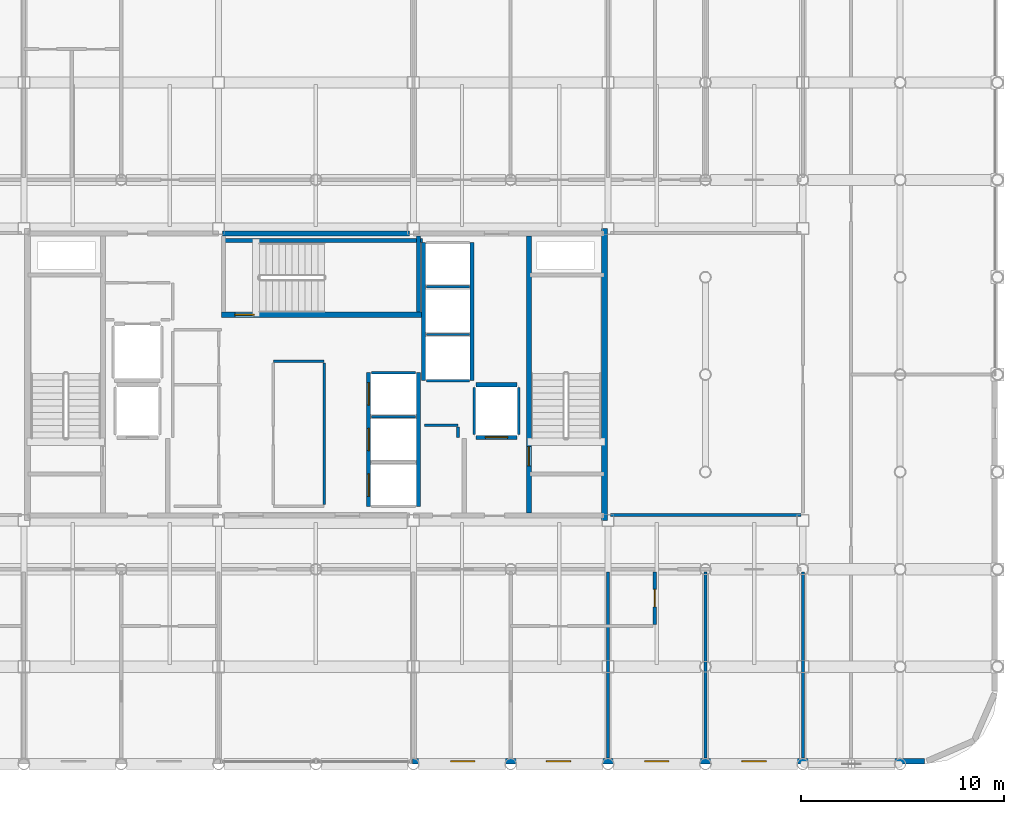
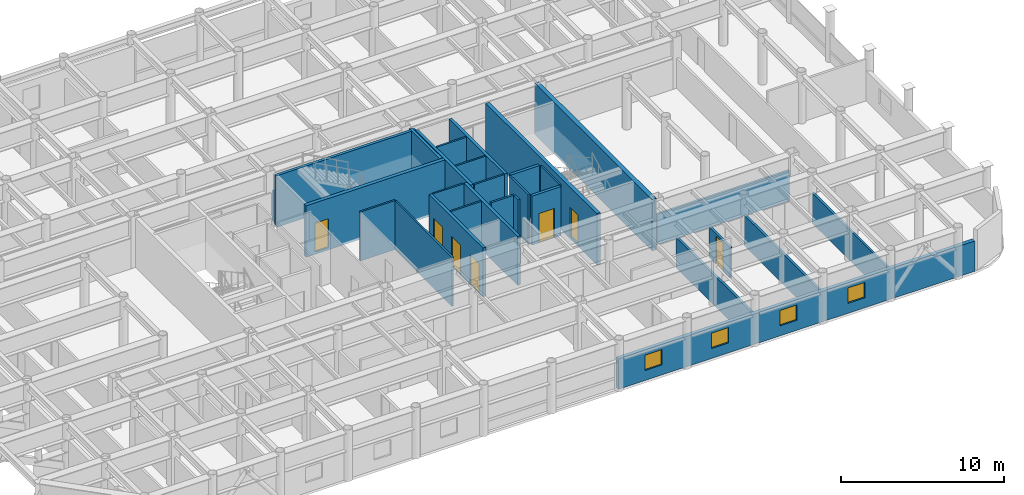
# One storey, part 24 of 27: 29 walls, 7 doors, 4 windows, 11 openings.
"""IFC4 building model written with IfcOpenShell, lengths in metres."""

from ifc_helpers import new_model, si_unit, direction, frame, frame_2d, origin, place, context, subcontext, project, spatial, rectangle, extrude, material, layer, layer_set, type_object, element, fill, save


model = new_model("IFC4")

# Units and contexts
model_context = context("Model", 3, precision=1e-05, world=origin(), true_north=direction((0.0, 1.0)))
body_context = subcontext(model_context, "Body", "Model", "MODEL_VIEW")
ifc_project = project(units=[si_unit("LENGTHUNIT", "METRE"), si_unit("AREAUNIT", "SQUARE_METRE"), si_unit("VOLUMEUNIT", "CUBIC_METRE"), si_unit("PLANEANGLEUNIT", "RADIAN"), si_unit("MASSUNIT", "GRAM", prefix="KILO")], contexts=[model_context])

# Site, building, storey
site_placement = place(None, origin())
site = spatial("IfcSite", under=ifc_project, at=site_placement, CompositionType="ELEMENT")
building_placement = place(site_placement, origin())
building = spatial("IfcBuilding", under=site, at=building_placement, Name="Kallvorn Hotel Tower", CompositionType="ELEMENT")
storey_placement = place(building_placement, frame((0.0, 0.0, 245.39990234375)))
storey = spatial("IfcBuildingStorey", under=building, at=storey_placement, Name="L61", CompositionType="ELEMENT", Elevation=245.39990234375)

# Walls
ifc_material_1 = material(Name="Concrete C50/60", Category="concrete")
ifc_layer_1 = layer(ifc_material_1, 0.300048828125)
ifc_layer_set_1 = layer_set([ifc_layer_1], Name="WL_CORE_300")
wall_type_1 = type_object("IfcWallType", Name="WL_CORE_300", PredefinedType="SHEAR", material=ifc_layer_set_1)
wall_1_placement = place(storey_placement, frame((14.215087890625, -7.199951171875, -0.179931640625), z_axis=(0.0, 0.0, 1.0), x_axis=(0.0, 1.0, 0.0)))
element("IfcWall", 1, at=wall_1_placement, inside=storey, type_object=wall_type_1, Name="L61 Core East Shear Wall", PredefinedType="SHEAR", context=body_context, shape_type="SweptSolid", body=[
    extrude(rectangle(XDim=14.39990234375, YDim=0.300048828125, at=frame_2d((7.199951171875, 0.0))), origin(), (0.0, 0.0, 1.0), 3.85009765625),
])
ifc_material_2 = material(Name="Fire-rated double-layer acoustic gypsum drywall EI 60")
ifc_layer_2 = layer(ifc_material_2, 0.159912109375)
ifc_layer_set_2 = layer_set([ifc_layer_2], Name="WL_DEMISE_160")
wall_type_2 = type_object("IfcWallType", Name="WL_DEMISE_160", PredefinedType="PARTITIONING", material=ifc_layer_set_2)
wall_2_placement = place(storey_placement, frame((14.39990234375, -18.909912109375, 0.0), z_axis=(0.0, 0.0, 1.0), x_axis=(0.0, 1.0, 0.0)))
element("IfcWall", 2, at=wall_2_placement, inside=storey, type_object=wall_type_2, Name="L61 Suite 6103 Executive Bedroom Partition", PredefinedType="PARTITIONING", context=body_context, shape_type="SweptSolid", body=[
    extrude(rectangle(XDim=9.18994140625, YDim=0.159912109375, at=frame_2d((4.594970703125, 0.0))), origin(), (0.0, 0.0, 1.0), 2.27001953125),
])

# Wall, opening, door
wall_3_placement = place(storey_placement, frame((16.705078125, -12.31005859375, 0.0), z_axis=(0.0, 0.0, 1.0), x_axis=(0.0, 1.0, 0.0)))
wall_3 = element("IfcWall", 3, at=wall_3_placement, inside=storey, type_object=wall_type_2, Name="L61 Suite 6104 Deluxe King Room Partition", PredefinedType="PARTITIONING", context=body_context, shape_type="SweptSolid", body=[
    extrude(rectangle(XDim=2.590087890625, YDim=0.159912109375, at=frame_2d((1.294921875, 0.0))), origin(), (0.0, 0.0, 1.0), 2.27001953125),
])
opening_1_placement = place(wall_3_placement, frame((0.860107421875, 0.0, 0.0)))
opening_1 = element("IfcOpeningElement", 4, at=opening_1_placement, cuts=wall_3, Name="Opening BD-I", PredefinedType="OPENING", context=body_context, shape_type="SweptSolid", body=[
    extrude(rectangle(XDim=0.860107421875, YDim=2.10009765625, at=frame_2d((0.43017578125, 1.050048828125))), frame((0.0, 0.094970703125, 0.0), z_axis=(0.0, -1.0, 0.0), x_axis=(1.0, 0.0, 0.0)), (0.0, 0.0, 1.0), 0.18994140625),
])
ifc_material_3 = material(Name="Solid-core walnut veneer fire-rated timber door leaf", Category="wood")
door_type_1 = type_object("IfcDoorType", Name="DR_BATH_860x2100", OperationType="NOTDEFINED", PredefinedType="DOOR", material=ifc_material_3)
door_1_placement = place(opening_1_placement, origin())
door_1 = element("IfcDoor", 5, at=door_1_placement, inside=storey, type_object=door_type_1, Name="L61 Suite 6104 En-Suite Bathroom Door", OperationType="SINGLE_SWING_RIGHT", OverallHeight=2.10009765625, OverallWidth=0.860107421875, PredefinedType="DOOR", context=body_context, shape_type="SweptSolid", body=[
    extrude(rectangle(XDim=0.860107421875, YDim=2.10009765625, at=frame_2d((0.43017578125, 1.050048828125))), frame((0.0, 0.02490234375, 0.0), z_axis=(0.0, -1.0, 0.0), x_axis=(1.0, 0.0, 0.0)), (0.0, 0.0, 1.0), 0.050048828125),
])
fill(opening_1, door_1)

# Wall
wall_4_placement = place(storey_placement, frame((19.199951171875, -18.909912109375, 0.0), z_axis=(0.0, 0.0, 1.0), x_axis=(0.0, 1.0, 0.0)))
element("IfcWall", 6, at=wall_4_placement, inside=storey, type_object=wall_type_2, Name="L61 Suite 6104 Deluxe King Room Partition", PredefinedType="PARTITIONING", context=body_context, shape_type="SweptSolid", body=[
    extrude(rectangle(XDim=9.18994140625, YDim=0.159912109375, at=frame_2d((4.594970703125, 0.0))), origin(), (0.0, 0.0, 1.0), 2.27001953125),
])

# Wall, openings, windows
ifc_material_4 = material(Name="Precast basalt-clad insulated concrete wall C40/50", Category="masonry")
ifc_layer_3 = layer(ifc_material_4, 0.280029296875)
ifc_layer_set_3 = layer_set([ifc_layer_3], Name="WL_EXT_LOGGIA_280")
wall_type_3 = type_object("IfcWallType", Name="WL_EXT_LOGGIA_280", PredefinedType="SOLIDWALL", material=ifc_layer_set_3)
wall_5_placement = place(storey_placement, frame((4.75, -19.06005859375, 0.0), z_axis=(0.0, 0.0, 1.0), x_axis=(1.0, 0.0, 0.0)))
wall_5 = element("IfcWall", 7, at=wall_5_placement, inside=storey, type_object=wall_type_3, Name="L61 Exterior Envelope Wall EW-L61-SE", PredefinedType="SOLIDWALL", context=body_context, shape_type="SweptSolid", body=[
    extrude(rectangle(XDim=25.25, YDim=0.280029296875, at=frame_2d((12.625, 0.0))), origin(), (0.0, 0.0, 1.0), 2.27001953125),
])
opening_2_placement = place(wall_5_placement, frame((16.25, 0.0, 0.75)))
opening_2 = element("IfcOpeningElement", 8, at=opening_2_placement, cuts=wall_5, Name="Opening W06A", PredefinedType="OPENING", context=body_context, shape_type="SweptSolid", body=[
    extrude(rectangle(XDim=1.199951171875, YDim=1.14990234375, at=frame_2d((0.60009765625, 0.574951171875))), frame((0.0, 0.155029296875, 0.0), z_axis=(0.0, -1.0, 0.0), x_axis=(1.0, 0.0, 0.0)), (0.0, 0.0, 1.0), 0.31005859375),
])
opening_3_placement = place(wall_5_placement, frame((1.889892578125, 0.0, 0.75)))
opening_3 = element("IfcOpeningElement", 9, at=opening_3_placement, cuts=wall_5, Name="Opening W06A", PredefinedType="OPENING", context=body_context, shape_type="SweptSolid", body=[
    extrude(rectangle(XDim=1.199951171875, YDim=1.14990234375, at=frame_2d((0.60009765625, 0.574951171875))), frame((0.0, 0.155029296875, 0.0), z_axis=(0.0, -1.0, 0.0), x_axis=(1.0, 0.0, 0.0)), (0.0, 0.0, 1.0), 0.31005859375),
])
opening_4_placement = place(wall_5_placement, frame((6.610107421875, 0.0, 0.75)))
opening_4 = element("IfcOpeningElement", 10, at=opening_4_placement, cuts=wall_5, Name="Opening W06A", PredefinedType="OPENING", context=body_context, shape_type="SweptSolid", body=[
    extrude(rectangle(XDim=1.199951171875, YDim=1.14990234375, at=frame_2d((0.60009765625, 0.574951171875))), frame((0.0, 0.155029296875, 0.0), z_axis=(0.0, -1.0, 0.0), x_axis=(1.0, 0.0, 0.0)), (0.0, 0.0, 1.0), 0.31005859375),
])
opening_5_placement = place(wall_5_placement, frame((11.449951171875, 0.0, 0.75)))
opening_5 = element("IfcOpeningElement", 11, at=opening_5_placement, cuts=wall_5, Name="Opening W06A", PredefinedType="OPENING", context=body_context, shape_type="SweptSolid", body=[
    extrude(rectangle(XDim=1.199951171875, YDim=1.14990234375, at=frame_2d((0.60009765625, 0.574951171875))), frame((0.0, 0.155029296875, 0.0), z_axis=(0.0, -1.0, 0.0), x_axis=(1.0, 0.0, 0.0)), (0.0, 0.0, 1.0), 0.31005859375),
])
ifc_material_5 = material(Name="Triple-glazed low-e acoustic solar-control dark glass", Category="glass")
window_type = type_object("IfcWindowType", Name="WN_HTL_1200x1150", PartitioningType="SINGLE_PANEL", PredefinedType="WINDOW", material=ifc_material_5)
window_1_placement = place(opening_2_placement, origin())
window_1 = element("IfcWindow", 12, at=window_1_placement, inside=storey, type_object=window_type, Name="L61 Guestroom Exterior Window 01", OverallHeight=1.14990234375, OverallWidth=1.199951171875, PartitioningType="SINGLE_PANEL", PredefinedType="WINDOW", context=body_context, shape_type="SweptSolid", body=[
    extrude(rectangle(XDim=1.199951171875, YDim=1.14990234375, at=frame_2d((0.60009765625, 0.574951171875))), frame((0.0, 0.030029296875, 0.0), z_axis=(0.0, -1.0, 0.0), x_axis=(1.0, 0.0, 0.0)), (0.0, 0.0, 1.0), 0.06005859375),
])
fill(opening_2, window_1)
window_2_placement = place(opening_3_placement, origin())
window_2 = element("IfcWindow", 13, at=window_2_placement, inside=storey, type_object=window_type, Name="L61 Guestroom Exterior Window 07", OverallHeight=1.14990234375, OverallWidth=1.199951171875, PartitioningType="SINGLE_PANEL", PredefinedType="WINDOW", context=body_context, shape_type="SweptSolid", body=[
    extrude(rectangle(XDim=1.199951171875, YDim=1.14990234375, at=frame_2d((0.60009765625, 0.574951171875))), frame((0.0, 0.030029296875, 0.0), z_axis=(0.0, -1.0, 0.0), x_axis=(1.0, 0.0, 0.0)), (0.0, 0.0, 1.0), 0.06005859375),
])
fill(opening_3, window_2)
window_3_placement = place(opening_4_placement, origin())
window_3 = element("IfcWindow", 14, at=window_3_placement, inside=storey, type_object=window_type, Name="L61 Guestroom Exterior Window 08", OverallHeight=1.14990234375, OverallWidth=1.199951171875, PartitioningType="SINGLE_PANEL", PredefinedType="WINDOW", context=body_context, shape_type="SweptSolid", body=[
    extrude(rectangle(XDim=1.199951171875, YDim=1.14990234375, at=frame_2d((0.60009765625, 0.574951171875))), frame((0.0, 0.030029296875, 0.0), z_axis=(0.0, -1.0, 0.0), x_axis=(1.0, 0.0, 0.0)), (0.0, 0.0, 1.0), 0.06005859375),
])
fill(opening_4, window_3)
window_4_placement = place(opening_5_placement, origin())
window_4 = element("IfcWindow", 15, at=window_4_placement, inside=storey, type_object=window_type, Name="L61 Guestroom Exterior Window 09", OverallHeight=1.14990234375, OverallWidth=1.199951171875, PartitioningType="SINGLE_PANEL", PredefinedType="WINDOW", context=body_context, shape_type="SweptSolid", body=[
    extrude(rectangle(XDim=1.199951171875, YDim=1.14990234375, at=frame_2d((0.60009765625, 0.574951171875))), frame((0.0, 0.030029296875, 0.0), z_axis=(0.0, -1.0, 0.0), x_axis=(1.0, 0.0, 0.0)), (0.0, 0.0, 1.0), 0.06005859375),
])
fill(opening_5, window_4)

# Walls
ifc_material_6 = material(Name="Concrete C40/50", Category="concrete")
ifc_layer_4 = layer(ifc_material_6, 0.199951171875)
ifc_layer_set_4 = layer_set([ifc_layer_4], Name="WL_HOIST_200")
wall_type_4 = type_object("IfcWallType", Name="WL_HOIST_200", PredefinedType="SOLIDWALL", material=ifc_layer_set_4)
wall_6_placement = place(storey_placement, frame((-4.64990234375, 6.610107421875, -0.179931640625), z_axis=(0.0, 0.0, 1.0), x_axis=(1.0, 0.0, 0.0)))
element("IfcWall", 16, at=wall_6_placement, inside=storey, type_object=wall_type_4, Name="L61 Stair ST3 Shaft North Wall", PredefinedType="SOLIDWALL", context=body_context, shape_type="SweptSolid", body=[
    extrude(rectangle(XDim=9.89990234375, YDim=0.199951171875, at=frame_2d((4.949951171875, 0.0))), origin(), (0.0, 0.0, 1.0), 3.85009765625),
])
wall_7_placement = place(storey_placement, frame((5.06005859375, 3.080078125, -0.179931640625), z_axis=(0.0, 0.0, 1.0), x_axis=(0.0, 1.0, 0.0)))
element("IfcWall", 17, at=wall_7_placement, inside=storey, type_object=wall_type_4, Name="L61 Stair ST3 East Wall", PredefinedType="SOLIDWALL", context=body_context, shape_type="SweptSolid", body=[
    extrude(rectangle(XDim=3.739990234375, YDim=0.199951171875, at=frame_2d((1.8701171875, 0.0))), origin(), (0.0, 0.0, 1.0), 3.85009765625),
])

# Wall, openings, doors
wall_8_placement = place(storey_placement, frame((2.60009765625, -6.5, 0.0), z_axis=(0.0, 0.0, 1.0), x_axis=(0.0, 1.0, 0.0)))
wall_8 = element("IfcWall", 18, at=wall_8_placement, inside=storey, type_object=wall_type_4, Name="L61 Lift Bank B3A Landing Wall", PredefinedType="SOLIDWALL", context=body_context, shape_type="SweptSolid", body=[
    extrude(rectangle(XDim=6.60009765625, YDim=0.199951171875, at=frame_2d((3.300048828125, 0.0))), origin(), (0.0, 0.0, 1.0), 3.670166015625),
])
opening_6_placement = place(wall_8_placement, frame((0.5, 0.0, 0.0)))
opening_6 = element("IfcOpeningElement", 19, at=opening_6_placement, cuts=wall_8, Name="Opening LD-PL-09", PredefinedType="OPENING", context=body_context, shape_type="SweptSolid", body=[
    extrude(rectangle(XDim=1.10009765625, YDim=2.199951171875, at=frame_2d((0.550048828125, 1.10009765625))), frame((0.0, 0.114990234375, 0.0), z_axis=(0.0, -1.0, 0.0), x_axis=(1.0, 0.0, 0.0)), (0.0, 0.0, 1.0), 0.22998046875),
])
opening_7_placement = place(wall_8_placement, frame((2.75, 0.0, 0.0)))
opening_7 = element("IfcOpeningElement", 20, at=opening_7_placement, cuts=wall_8, Name="Opening LD-PL-10", PredefinedType="OPENING", context=body_context, shape_type="SweptSolid", body=[
    extrude(rectangle(XDim=1.10009765625, YDim=2.199951171875, at=frame_2d((0.550048828125, 1.10009765625))), frame((0.0, 0.114990234375, 0.0), z_axis=(0.0, -1.0, 0.0), x_axis=(1.0, 0.0, 0.0)), (0.0, 0.0, 1.0), 0.22998046875),
])
opening_8_placement = place(wall_8_placement, frame((5.0, 0.0, 0.0)))
opening_8 = element("IfcOpeningElement", 21, at=opening_8_placement, cuts=wall_8, Name="Opening LD-PL-11", PredefinedType="OPENING", context=body_context, shape_type="SweptSolid", body=[
    extrude(rectangle(XDim=1.10009765625, YDim=2.199951171875, at=frame_2d((0.550048828125, 1.10009765625))), frame((0.0, 0.114990234375, 0.0), z_axis=(0.0, -1.0, 0.0), x_axis=(1.0, 0.0, 0.0)), (0.0, 0.0, 1.0), 0.22998046875),
])
ifc_material_7 = material(Name="Brushed stainless-steel automatic sliding lift landing door", Category="steel")
door_type_2 = type_object("IfcDoorType", Name="LD_PASS_1100x2200", OperationType="SLIDING_TO_LEFT", PredefinedType="DOOR", material=ifc_material_7)
door_2_placement = place(opening_6_placement, origin())
door_2 = element("IfcDoor", 22, at=door_2_placement, inside=storey, type_object=door_type_2, Name="L61 Lift Landing Sliding Door LD-PL-09", OperationType="SLIDING_TO_LEFT", OverallHeight=2.199951171875, OverallWidth=1.10009765625, PredefinedType="DOOR", context=body_context, shape_type="SweptSolid", body=[
    extrude(rectangle(XDim=1.10009765625, YDim=2.199951171875, at=frame_2d((0.550048828125, 1.10009765625))), frame((0.0, 0.02490234375, 0.0), z_axis=(0.0, -1.0, 0.0), x_axis=(1.0, 0.0, 0.0)), (0.0, 0.0, 1.0), 0.050048828125),
])
fill(opening_6, door_2)
door_3_placement = place(opening_7_placement, origin())
door_3 = element("IfcDoor", 23, at=door_3_placement, inside=storey, type_object=door_type_2, Name="L61 Lift Landing Sliding Door LD-PL-10", OperationType="SLIDING_TO_LEFT", OverallHeight=2.199951171875, OverallWidth=1.10009765625, PredefinedType="DOOR", context=body_context, shape_type="SweptSolid", body=[
    extrude(rectangle(XDim=1.10009765625, YDim=2.199951171875, at=frame_2d((0.550048828125, 1.10009765625))), frame((0.0, 0.02490234375, 0.0), z_axis=(0.0, -1.0, 0.0), x_axis=(1.0, 0.0, 0.0)), (0.0, 0.0, 1.0), 0.050048828125),
])
fill(opening_7, door_3)
door_4_placement = place(opening_8_placement, origin())
door_4 = element("IfcDoor", 24, at=door_4_placement, inside=storey, type_object=door_type_2, Name="L61 Lift Landing Sliding Door LD-PL-11", OperationType="SLIDING_TO_LEFT", OverallHeight=2.199951171875, OverallWidth=1.10009765625, PredefinedType="DOOR", context=body_context, shape_type="SweptSolid", body=[
    extrude(rectangle(XDim=1.10009765625, YDim=2.199951171875, at=frame_2d((0.550048828125, 1.10009765625))), frame((0.0, 0.02490234375, 0.0), z_axis=(0.0, -1.0, 0.0), x_axis=(1.0, 0.0, 0.0)), (0.0, 0.0, 1.0), 0.050048828125),
])
fill(opening_8, door_4)

# Walls
wall_9_placement = place(storey_placement, frame((5.050048828125, -6.5, 0.0), z_axis=(0.0, 0.0, 1.0), x_axis=(0.0, 1.0, 0.0)))
element("IfcWall", 25, at=wall_9_placement, inside=storey, type_object=wall_type_4, Name="L61 Lift Bank B3A Rear Shaft Wall", PredefinedType="SOLIDWALL", context=body_context, shape_type="SweptSolid", body=[
    extrude(rectangle(XDim=6.60009765625, YDim=0.199951171875, at=frame_2d((3.300048828125, 0.0))), origin(), (0.0, 0.0, 1.0), 3.670166015625),
])
for number, where, z_axis, x_axis, name in (
    (26, (7.699951171875, -0.300048828125, 0.0), (0.0, 0.0, 1.0), (0.0, 1.0, 0.0), "L61 Lift Bank OBS Landing Wall"),
    (27, (5.300048828125, -0.300048828125, 0.0), (0.0, 0.0, 1.0), (0.0, 1.0, 0.0), "L61 Lift Bank OBS Rear Shaft Wall"),
):
    element("IfcWall", number, at=place(storey_placement, frame(where, z_axis=z_axis, x_axis=x_axis)), inside=storey, type_object=wall_type_4, Name=name, PredefinedType="SOLIDWALL", context=body_context, shape_type="SweptSolid", body=[
        extrude(rectangle(XDim=6.800048828125, YDim=0.199951171875, at=frame_2d((3.39990234375, 0.0))), origin(), (0.0, 0.0, 1.0), 3.670166015625),
    ])

# Wall, opening, door
wall_10_placement = place(storey_placement, frame((7.8798828125, -3.10009765625, 0.0), z_axis=(0.0, 0.0, 1.0), x_axis=(1.0, 0.0, 0.0)))
wall_10 = element("IfcWall", 28, at=wall_10_placement, inside=storey, type_object=wall_type_4, Name="L61 FL-2 Landing Wall", PredefinedType="SOLIDWALL", context=body_context, shape_type="SweptSolid", body=[
    extrude(rectangle(XDim=2.0400390625, YDim=0.199951171875, at=frame_2d((1.02001953125, 0.0))), origin(), (0.0, 0.0, 1.0), 3.670166015625),
])
opening_9_placement = place(wall_10_placement, frame((0.469970703125, 0.0, 0.0)))
opening_9 = element("IfcOpeningElement", 29, at=opening_9_placement, cuts=wall_10, Name="Opening LD-FL-2", PredefinedType="OPENING", context=body_context, shape_type="SweptSolid", body=[
    extrude(rectangle(XDim=1.10009765625, YDim=2.199951171875, at=frame_2d((0.550048828125, 1.10009765625))), frame((0.0, 0.114990234375, 0.0), z_axis=(0.0, -1.0, 0.0), x_axis=(1.0, 0.0, 0.0)), (0.0, 0.0, 1.0), 0.22998046875),
])
door_5_placement = place(opening_9_placement, origin())
door_5 = element("IfcDoor", 30, at=door_5_placement, inside=storey, type_object=door_type_2, Name="L61 Lift Landing Sliding Door LD-FL-2", OperationType="SLIDING_TO_LEFT", OverallHeight=2.199951171875, OverallWidth=1.10009765625, PredefinedType="DOOR", context=body_context, shape_type="SweptSolid", body=[
    extrude(rectangle(XDim=1.10009765625, YDim=2.199951171875, at=frame_2d((0.550048828125, 1.10009765625))), frame((0.0, 0.02490234375, 0.0), z_axis=(0.0, -1.0, 0.0), x_axis=(1.0, 0.0, 0.0)), (0.0, 0.0, 1.0), 0.050048828125),
])
fill(opening_9, door_5)

# Walls
wall_11_placement = place(storey_placement, frame((7.8798828125, -0.5, 0.0), z_axis=(0.0, 0.0, 1.0), x_axis=(1.0, 0.0, 0.0)))
element("IfcWall", 31, at=wall_11_placement, inside=storey, type_object=wall_type_4, Name="L61 FL-2 Rear Shaft Wall", PredefinedType="SOLIDWALL", context=body_context, shape_type="SweptSolid", body=[
    extrude(rectangle(XDim=2.0400390625, YDim=0.199951171875, at=frame_2d((1.02001953125, 0.0))), origin(), (0.0, 0.0, 1.0), 3.670166015625),
])
ifc_material_8 = material(Name="Fire-rated double-layer acoustic gypsum drywall EI 60")
ifc_layer_5 = layer(ifc_material_8, 0.1201171875)
ifc_layer_set_5 = layer_set([ifc_layer_5], Name="WL_INT_120")
wall_type_5 = type_object("IfcWallType", Name="WL_INT_120", PredefinedType="PARTITIONING", material=ifc_layer_set_5)
for number, where, z_axis, x_axis, name in (
    (32, (2.739990234375, -2.074951171875, 0.0), (0.0, 0.0, 1.0), (1.0, 0.0, 0.0), "L61 PL-10 Hoistway Divider"),
    (33, (2.739990234375, 0.10009765625, 0.0), (0.0, 0.0, 1.0), (1.0, 0.0, 0.0), "L61 PL-11 Hoistway Divider"),
):
    element("IfcWall", number, at=place(storey_placement, frame(where, z_axis=z_axis, x_axis=x_axis)), inside=storey, type_object=wall_type_5, Name=name, PredefinedType="PARTITIONING", context=body_context, shape_type="SweptSolid", body=[
        extrude(rectangle(XDim=2.169921875, YDim=0.1201171875, at=frame_2d((1.0849609375, 0.0))), origin(), (0.0, 0.0, 1.0), 3.670166015625),
    ])
for number, where, z_axis, x_axis, name in (
    (34, (5.43994140625, -0.300048828125, 0.0), (0.0, 0.0, 1.0), (1.0, 0.0, 0.0), "L61 Lift Bank OBS South Closure Wall"),
    (35, (5.43994140625, 1.97509765625, 0.0), (0.0, 0.0, 1.0), (1.0, 0.0, 0.0), "L61 OB-01 Hoistway Divider"),
    (36, (5.43994140625, 4.324951171875, 0.0), (0.0, 0.0, 1.0), (1.0, 0.0, 0.0), "L61 OB-02 Hoistway Divider"),
):
    element("IfcWall", number, at=place(storey_placement, frame(where, z_axis=z_axis, x_axis=x_axis)), inside=storey, type_object=wall_type_5, Name=name, PredefinedType="PARTITIONING", context=body_context, shape_type="SweptSolid", body=[
        extrude(rectangle(XDim=2.1201171875, YDim=0.1201171875, at=frame_2d((1.06005859375, 0.0))), origin(), (0.0, 0.0, 1.0), 3.670166015625),
    ])
for number, where, z_axis, x_axis, name in (
    (37, (7.800048828125, -2.9599609375, 0.0), (0.0, 0.0, 1.0), (0.0, 1.0, 0.0), "L61 FL-2 West Shaft Wall"),
    (38, (10.0, -2.9599609375, 0.0), (0.0, 0.0, 1.0), (0.0, 1.0, 0.0), "L61 FL-2 East Shaft Wall"),
):
    element("IfcWall", number, at=place(storey_placement, frame(where, z_axis=z_axis, x_axis=x_axis)), inside=storey, type_object=wall_type_5, Name=name, PredefinedType="PARTITIONING", context=body_context, shape_type="SweptSolid", body=[
        extrude(rectangle(XDim=2.320068359375, YDim=0.1201171875, at=frame_2d((1.16015625, 0.0))), origin(), (0.0, 0.0, 1.0), 3.670166015625),
    ])
wall_12_placement = place(storey_placement, frame((-2.10009765625, 0.64990234375, 0.0), z_axis=(0.0, 0.0, 1.0), x_axis=(1.0, 0.0, 0.0)))
element("IfcWall", 39, at=wall_12_placement, inside=storey, type_object=wall_type_5, Name="L61 High-Zone IT and Tableware Reserve Room Partition", PredefinedType="PARTITIONING", context=body_context, shape_type="SweptSolid", body=[
    extrude(rectangle(XDim=2.5, YDim=0.1201171875, at=frame_2d((1.25, 0.0))), origin(), (0.0, 0.0, 1.0), 3.670166015625),
])
wall_13_placement = place(storey_placement, frame((0.39990234375, -6.4150390625, 0.0), z_axis=(0.0, 0.0, 1.0), x_axis=(0.0, 1.0, 0.0)))
element("IfcWall", 40, at=wall_13_placement, inside=storey, type_object=wall_type_5, Name="L61 High-Zone IT and Tableware Reserve Room Partition", PredefinedType="PARTITIONING", context=body_context, shape_type="SweptSolid", body=[
    extrude(rectangle(XDim=6.97998046875, YDim=0.1201171875, at=frame_2d((3.489990234375, 0.0))), origin(), (0.0, 0.0, 1.0), 3.670166015625),
])
ifc_material_9 = material(Name="Fire-rated double-layer acoustic gypsum drywall EI 60")
ifc_layer_6 = layer(ifc_material_9, 0.14990234375)
ifc_layer_set_6 = layer_set([ifc_layer_6], Name="WL_PART_150")
wall_type_6 = type_object("IfcWallType", Name="WL_PART_150", PredefinedType="PARTITIONING", material=ifc_layer_set_6)
wall_14_placement = place(storey_placement, frame((14.52001953125, -6.919921875, 0.0), z_axis=(0.0, 0.0, 1.0), x_axis=(1.0, 0.0, 0.0)))
element("IfcWall", 41, at=wall_14_placement, inside=storey, type_object=wall_type_6, Name="L61 L61 High-Zone Inner East Club Gallery Partition", PredefinedType="PARTITIONING", context=body_context, shape_type="SweptSolid", body=[
    extrude(rectangle(XDim=9.39990234375, YDim=0.14990234375, at=frame_2d((4.699951171875, 0.0))), origin(), (0.0, 0.0, 1.0), 2.27001953125),
])
wall_15_placement = place(storey_placement, frame((24.0, -18.909912109375, 0.0), z_axis=(0.0, 0.0, 1.0), x_axis=(0.0, 1.0, 0.0)))
element("IfcWall", 42, at=wall_15_placement, inside=storey, type_object=wall_type_6, Name="L61 L61 High-Zone South-East Wine Bar Partition", PredefinedType="PARTITIONING", context=body_context, shape_type="SweptSolid", body=[
    extrude(rectangle(XDim=9.18994140625, YDim=0.14990234375, at=frame_2d((4.594970703125, 0.0))), origin(), (0.0, 0.0, 1.0), 2.27001953125),
])
ifc_material_10 = material(Name="Moisture-resistant acoustic plumbing chase wall EI 60")
ifc_layer_7 = layer(ifc_material_10, 0.139892578125)
ifc_layer_set_7 = layer_set([ifc_layer_7], Name="WL_PLUMB_140")
wall_type_7 = type_object("IfcWallType", Name="WL_PLUMB_140", PredefinedType="PLUMBINGWALL", material=ifc_layer_set_7)
wall_16_placement = place(storey_placement, frame((5.35009765625, -2.5, 0.0), z_axis=(0.0, 0.0, 1.0), x_axis=(1.0, 0.0, 0.0)))
element("IfcWall", 43, at=wall_16_placement, inside=storey, type_object=wall_type_7, Name="L61 Core Accessible Staff WC Partition", PredefinedType="PLUMBINGWALL", context=body_context, shape_type="SweptSolid", body=[
    extrude(rectangle(XDim=1.64990234375, YDim=0.139892578125, at=frame_2d((0.824951171875, 0.0))), origin(), (0.0, 0.0, 1.0), 3.670166015625),
])
wall_17_placement = place(storey_placement, frame((7.0, -3.110107421875, 0.0), z_axis=(0.0, 0.0, 1.0), x_axis=(0.0, 1.0, 0.0)))
element("IfcWall", 44, at=wall_17_placement, inside=storey, type_object=wall_type_7, Name="L61 Core Accessible Staff WC Partition", PredefinedType="PLUMBINGWALL", context=body_context, shape_type="SweptSolid", body=[
    extrude(rectangle(XDim=0.525146484375, YDim=0.139892578125, at=frame_2d((0.2626953125, 0.0))), origin(), (0.0, 0.0, 1.0), 3.670166015625),
])
ifc_material_11 = material(Name="Concrete C40/50", Category="concrete")
ifc_layer_8 = layer(ifc_material_11, 0.25)
ifc_layer_set_8 = layer_set([ifc_layer_8], Name="WL_SHAFT_250")
wall_type_8 = type_object("IfcWallType", Name="WL_SHAFT_250", PredefinedType="SOLIDWALL", material=ifc_layer_set_8)
wall_18_placement = place(storey_placement, frame((-4.60009765625, 6.949951171875, 0.0), z_axis=(0.0, 0.0, 1.0), x_axis=(1.0, 0.0, 0.0)))
element("IfcWall", 45, at=wall_18_placement, inside=storey, type_object=wall_type_8, Name="L61 Core North-Central Wall", PredefinedType="SOLIDWALL", context=body_context, shape_type="SweptSolid", body=[
    extrude(rectangle(XDim=9.2001953125, YDim=0.25, at=frame_2d((4.60009765625, 0.0))), origin(), (0.0, 0.0, 1.0), 2.27001953125),
])

# Wall, opening, door
wall_19_placement = place(storey_placement, frame((10.5, -6.820068359375, -0.179931640625), z_axis=(0.0, 0.0, 1.0), x_axis=(0.0, 1.0, 0.0)))
wall_19 = element("IfcWall", 46, at=wall_19_placement, inside=storey, type_object=wall_type_8, Name="L61 Stair ST2 Shaft Wall", PredefinedType="SOLIDWALL", context=body_context, shape_type="SweptSolid", body=[
    extrude(rectangle(XDim=13.64013671875, YDim=0.25, at=frame_2d((6.820068359375, 0.0))), origin(), (0.0, 0.0, 1.0), 3.85009765625),
])
opening_10_placement = place(wall_19_placement, frame((2.320068359375, 0.0, 0.179931640625)))
opening_10 = element("IfcOpeningElement", 47, at=opening_10_placement, cuts=wall_19, Name="Opening SD1", PredefinedType="OPENING", context=body_context, shape_type="SweptSolid", body=[
    extrude(rectangle(XDim=0.949951171875, YDim=2.14990234375, at=frame_2d((0.47509765625, 1.074951171875))), frame((0.0, 0.139892578125, 0.0), z_axis=(0.0, -1.0, 0.0), x_axis=(1.0, 0.0, 0.0)), (0.0, 0.0, 1.0), 0.280029296875),
])
ifc_material_12 = material(Name="Galvanised painted steel fire-rated door assembly", Category="steel")
door_type_3 = type_object("IfcDoorType", Name="DR_STAIR_950x2150", OperationType="NOTDEFINED", PredefinedType="DOOR", material=ifc_material_12)
door_6_placement = place(opening_10_placement, origin())
door_6 = element("IfcDoor", 48, at=door_6_placement, inside=storey, type_object=door_type_3, Name="L61 Exit Stair ST2 Fire Door", OperationType="SINGLE_SWING_LEFT", OverallHeight=2.14990234375, OverallWidth=0.949951171875, PredefinedType="DOOR", context=body_context, shape_type="SweptSolid", body=[
    extrude(rectangle(XDim=0.949951171875, YDim=2.14990234375, at=frame_2d((0.47509765625, 1.074951171875))), frame((0.0, 0.02490234375, 0.0), z_axis=(0.0, -1.0, 0.0), x_axis=(1.0, 0.0, 0.0)), (0.0, 0.0, 1.0), 0.050048828125),
])
fill(opening_10, door_6)

wall_20_placement = place(storey_placement, frame((-4.64990234375, 2.949951171875, -0.179931640625), z_axis=(0.0, 0.0, 1.0), x_axis=(1.0, 0.0, 0.0)))
wall_20 = element("IfcWall", 49, at=wall_20_placement, inside=storey, type_object=wall_type_8, Name="L61 Stair ST3 Shaft South Wall", PredefinedType="SOLIDWALL", context=body_context, shape_type="SweptSolid", body=[
    extrude(rectangle(XDim=9.89990234375, YDim=0.25, at=frame_2d((4.949951171875, 0.0))), origin(), (0.0, 0.0, 1.0), 3.85009765625),
])
opening_11_placement = place(wall_20_placement, frame((0.64990234375, 0.0, 0.179931640625)))
opening_11 = element("IfcOpeningElement", 50, at=opening_11_placement, cuts=wall_20, Name="Opening SD1", PredefinedType="OPENING", context=body_context, shape_type="SweptSolid", body=[
    extrude(rectangle(XDim=0.949951171875, YDim=2.14990234375, at=frame_2d((0.47509765625, 1.074951171875))), frame((0.0, 0.139892578125, 0.0), z_axis=(0.0, -1.0, 0.0), x_axis=(1.0, 0.0, 0.0)), (0.0, 0.0, 1.0), 0.280029296875),
])
door_7_placement = place(opening_11_placement, origin())
door_7 = element("IfcDoor", 51, at=door_7_placement, inside=storey, type_object=door_type_3, Name="L61 Exit Stair ST3 Fire Door", OperationType="SINGLE_SWING_RIGHT", OverallHeight=2.14990234375, OverallWidth=0.949951171875, PredefinedType="DOOR", context=body_context, shape_type="SweptSolid", body=[
    extrude(rectangle(XDim=0.949951171875, YDim=2.14990234375, at=frame_2d((0.47509765625, 1.074951171875))), frame((0.0, 0.02490234375, 0.0), z_axis=(0.0, -1.0, 0.0), x_axis=(1.0, 0.0, 0.0)), (0.0, 0.0, 1.0), 0.050048828125),
])
fill(opening_11, door_7)

save(model, "model.ifc")
